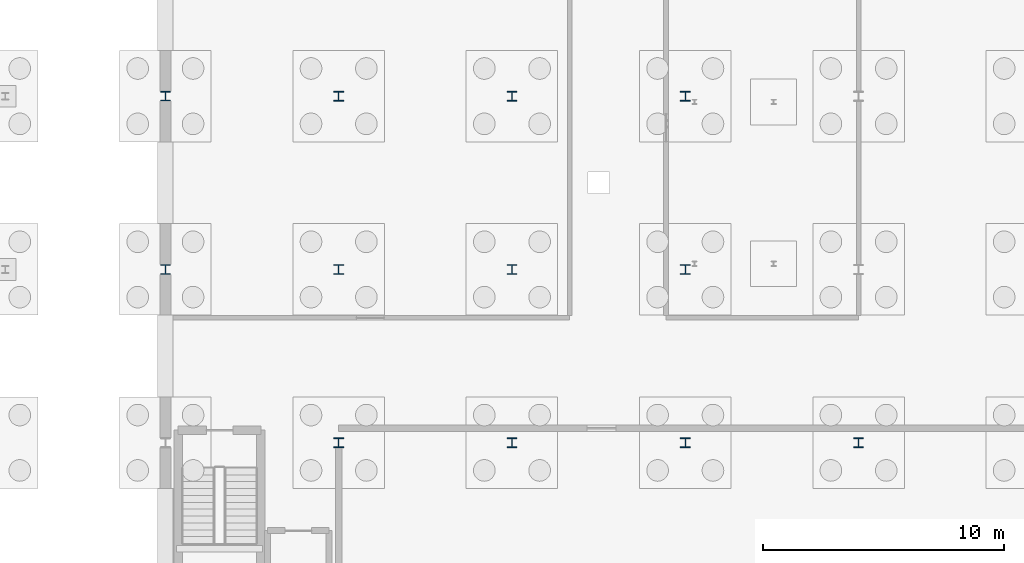
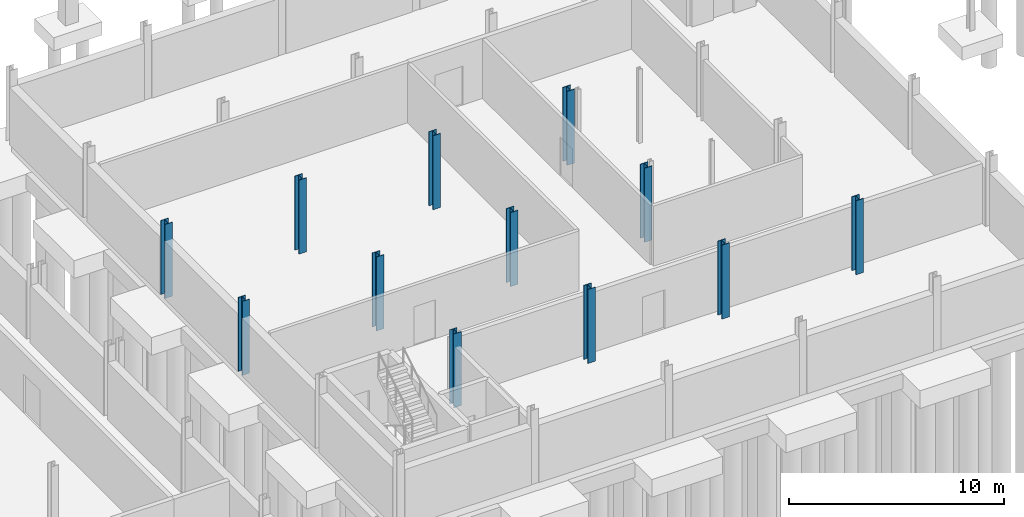
# One storey, part 19 of 50: 12 columns.
"""IFC4 building model written with IfcOpenShell, lengths in metres."""

from ifc_helpers import new_model, si_unit, direction, frame, origin, origin_2d, place, context, subcontext, project, spatial, i_section, extrude, material, material_profile, profile_set, type_object, element, save


model = new_model("IFC4")

# Units and contexts
model_context = context("Model", 3, precision=1e-05, world=origin(), true_north=direction((0.0, 1.0)))
body_context = subcontext(model_context, "Body", "Model", "MODEL_VIEW")
ifc_project = project(units=[si_unit("LENGTHUNIT", "METRE"), si_unit("AREAUNIT", "SQUARE_METRE"), si_unit("VOLUMEUNIT", "CUBIC_METRE"), si_unit("PLANEANGLEUNIT", "RADIAN"), si_unit("MASSUNIT", "GRAM", prefix="KILO")], contexts=[model_context])

# Site, building, storey
site_placement = place(None, origin())
site = spatial("IfcSite", under=ifc_project, at=site_placement, CompositionType="ELEMENT")
building_placement = place(site_placement, origin())
building = spatial("IfcBuilding", under=site, at=building_placement, Name="Narikvali Park Central Library", CompositionType="ELEMENT")
storey_placement = place(building_placement, frame((0.0, 0.0, -4.199951171875)))
storey = spatial("IfcBuildingStorey", under=building, at=storey_placement, Name="B1", CompositionType="ELEMENT", Elevation=-4.199951171875)

# Columns
ifc_material = material(Name="Steel S355", Category="steel")
ifc_material_profile_1 = material_profile(ifc_material, i_section(OverallWidth=0.404052734375, OverallDepth=0.406982421875, WebThickness=0.02001953125, FlangeThickness=0.031982421875, FilletRadius=0.014892578125, at=origin_2d()), Name="HD 400x347")
ifc_profile_set_1 = profile_set([ifc_material_profile_1], Name="Steel S355")
column_type_1 = type_object("IfcColumnType", Name="Rotunda Interior Column HD400x347", PredefinedType="COLUMN", material=ifc_profile_set_1)
for number, where, z_axis, x_axis, name in (
    (1, (72.0, 64.800048828125, 0.0), (0.0, 0.0, 1.0), (1.0, 0.0, 0.0), "V1 B1 Column (72.0,64.8)"),
    (2, (72.0, 72.0, 0.0), (0.0, 0.0, 1.0), (1.0, 0.0, 0.0), "V1 B1 Column (72.0,72.0)"),
    (3, (72.0, 79.199951171875, 0.0), (0.0, 0.0, 1.0), (1.0, 0.0, 0.0), "V1 B1 Column (72.0,79.2)"),
    (4, (79.199951171875, 64.800048828125, 0.0), (0.0, 0.0, 1.0), (1.0, 0.0, 0.0), "V1 B1 Column (79.2,64.8)"),
    (5, (79.199951171875, 72.0, 0.0), (0.0, 0.0, 1.0), (1.0, 0.0, 0.0), "V1 B1 Column (79.2,72.0)"),
    (6, (79.199951171875, 79.199951171875, 0.0), (0.0, 0.0, 1.0), (1.0, 0.0, 0.0), "V1 B1 Column (79.2,79.2)"),
    (7, (86.39990234375, 64.800048828125, 0.0), (0.0, 0.0, 1.0), (1.0, 0.0, 0.0), "V1 B1 Column (86.4,64.8)"),
    (8, (86.39990234375, 72.0, 0.0), (0.0, 0.0, 1.0), (1.0, 0.0, 0.0), "V1 B1 Column (86.4,72.0)"),
    (9, (86.39990234375, 79.199951171875, 0.0), (0.0, 0.0, 1.0), (1.0, 0.0, 0.0), "V1 B1 Column (86.4,79.2)"),
    (10, (93.60009765625, 64.800048828125, 0.0), (0.0, 0.0, 1.0), (1.0, 0.0, 0.0), "V1 B1 Column (93.6,64.8)"),
):
    element("IfcColumn", number, at=place(storey_placement, frame(where, z_axis=z_axis, x_axis=x_axis)), inside=storey, type_object=column_type_1, Name=name, PredefinedType="COLUMN", context=body_context, shape_type="SweptSolid", body=[
        extrude(i_section(OverallWidth=0.404052734375, OverallDepth=0.406982421875, WebThickness=0.02001953125, FlangeThickness=0.031982421875, FilletRadius=0.014892578125, at=origin_2d()), origin(), (0.0, 0.0, 1.0), 4.199951171875),
    ])
ifc_material_profile_2 = material_profile(ifc_material, i_section(OverallWidth=0.40087890625, OverallDepth=0.39892578125, WebThickness=0.0185546875, FlangeThickness=0.029052734375, FilletRadius=0.014892578125, at=origin_2d()), Name="HD 400x314")
ifc_profile_set_2 = profile_set([ifc_material_profile_2], Name="Steel S355")
column_type_2 = type_object("IfcColumnType", Name="Steel Column HD400x314", PredefinedType="COLUMN", material=ifc_profile_set_2)
for number, where, z_axis, x_axis, name in (
    (11, (64.800048828125, 72.0, 0.0), (0.0, 0.0, 1.0), (1.0, 0.0, 0.0), "V1 B1 Column (64.8,72.0)"),
    (12, (64.800048828125, 79.199951171875, 0.0), (0.0, 0.0, 1.0), (1.0, 0.0, 0.0), "V1 B1 Column (64.8,79.2)"),
):
    element("IfcColumn", number, at=place(storey_placement, frame(where, z_axis=z_axis, x_axis=x_axis)), inside=storey, type_object=column_type_2, Name=name, PredefinedType="COLUMN", context=body_context, shape_type="SweptSolid", body=[
        extrude(i_section(OverallWidth=0.40087890625, OverallDepth=0.39892578125, WebThickness=0.0185546875, FlangeThickness=0.029052734375, FilletRadius=0.014892578125, at=origin_2d()), origin(), (0.0, 0.0, 1.0), 4.199951171875),
    ])

save(model, "model.ifc")
